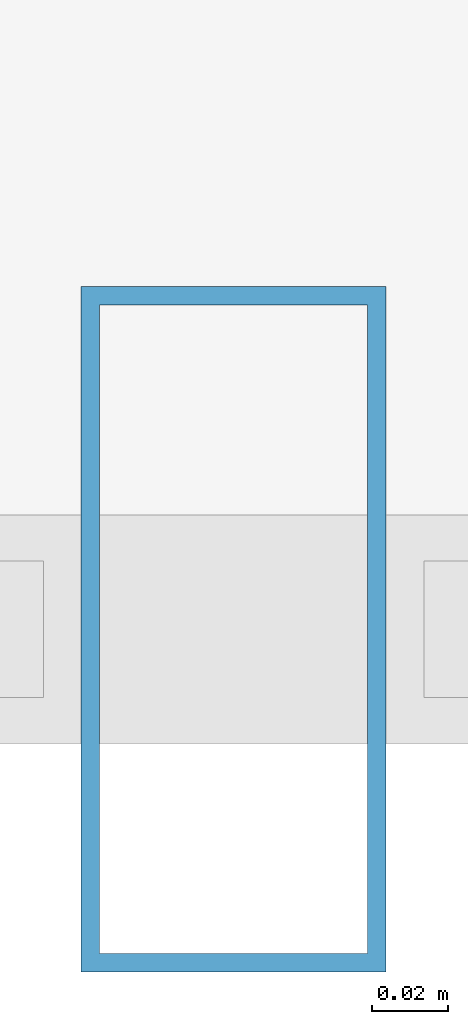
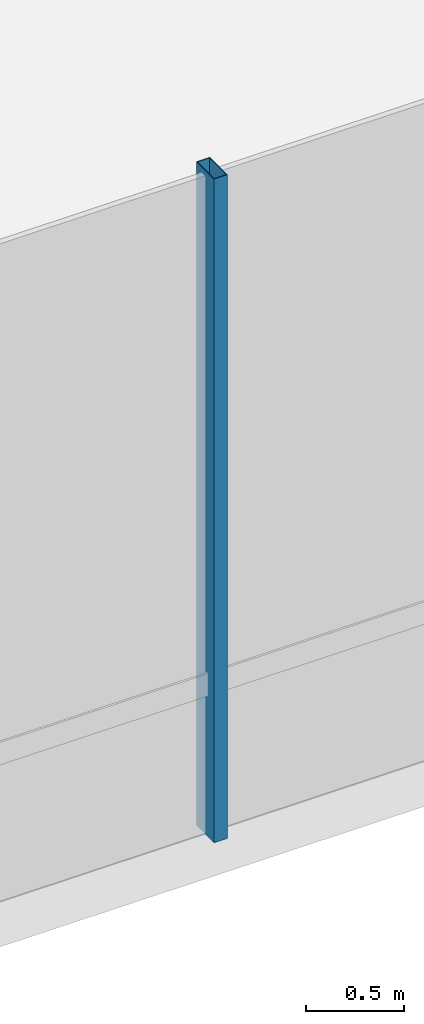
# One storey, part 14 of 43: 1 member, 1 element without a shape of its own.
"""IFC4 building model written with IfcOpenShell, lengths in metres."""

from ifc_helpers import new_model, si_unit, direction, frame, origin, origin_2d, place, context, subcontext, project, spatial, hollow_rectangle, extrude, material, layer, layer_set, material_profile, profile_set, type_object, element, aggregate, save


model = new_model("IFC4")

# Units and contexts
model_context = context("Model", 3, precision=1e-05, world=origin(), true_north=direction((0.0, 1.0)))
body_context = subcontext(model_context, "Body", "Model", "MODEL_VIEW")
ifc_project = project(units=[si_unit("LENGTHUNIT", "METRE"), si_unit("AREAUNIT", "SQUARE_METRE"), si_unit("VOLUMEUNIT", "CUBIC_METRE"), si_unit("PLANEANGLEUNIT", "RADIAN"), si_unit("MASSUNIT", "GRAM", prefix="KILO")], contexts=[model_context])

# Site, building, storey
site_placement = place(None, origin())
site = spatial("IfcSite", under=ifc_project, at=site_placement, CompositionType="ELEMENT")
building_placement = place(site_placement, origin())
building = spatial("IfcBuilding", under=site, at=building_placement, Name="Zarrinselat Tower", CompositionType="ELEMENT")
storey_placement = place(building_placement, frame((0.0, 0.0, 5.10009765625)))
storey = spatial("IfcBuildingStorey", under=building, at=storey_placement, Name="L01", CompositionType="ELEMENT", Elevation=5.10009765625)

# Curtain wall, member
ifc_material_1 = material(Name="Extruded Aluminium Alloy EN AW-6063 T6", Category="aluminium")
ifc_layer = layer(ifc_material_1, 0.2099609375)
ifc_layer_set = layer_set([ifc_layer], Name="Extruded Aluminium Alloy EN AW-6063 T6")
curtain_wall_type = type_object("IfcCurtainWallType", Name="CWS-POD", PredefinedType="NOTDEFINED", material=ifc_layer_set)
curtain_wall_placement = place(storey_placement, origin())
curtain_wall = element("IfcCurtainWall", 1, at=curtain_wall_placement, inside=storey, type_object=curtain_wall_type, Name="L01 Unitised Curtain Wall CW-L01-F1", PredefinedType="NOTDEFINED")
ifc_material_2 = material(Name="Extruded Aluminium Alloy EN AW-6063 T6", Category="aluminium")
ifc_material_profile = material_profile(ifc_material_2, hollow_rectangle(XDim=0.080078125, YDim=0.179931640625, WallThickness=0.0048828125, at=origin_2d()), Name="RHS 180x80x5")
ifc_profile_set = profile_set([ifc_material_profile], Name="Extruded Aluminium Alloy EN AW-6063 T6")
member_type = type_object("IfcMemberType", Name="MEM-CW-MUL", PredefinedType="MULLION", material=ifc_profile_set)
member_placement = place(storey_placement, frame((42.070068359375, 4.800048828125, 0.0), z_axis=(0.0, 0.0, 1.0), x_axis=(1.0, 0.0, 0.0)))
member = element("IfcMember", 2, at=member_placement, type_object=member_type, Name="CW-L01-F1 Mullion 11", PredefinedType="MULLION", context=body_context, shape_type="SweptSolid", body=[
    extrude(hollow_rectangle(XDim=0.080078125, YDim=0.179931640625, WallThickness=0.0048828125, at=origin_2d()), origin(), (0.0, 0.0, 1.0), 4.139892578125),
])
aggregate(curtain_wall, [member])

save(model, "model.ifc")
